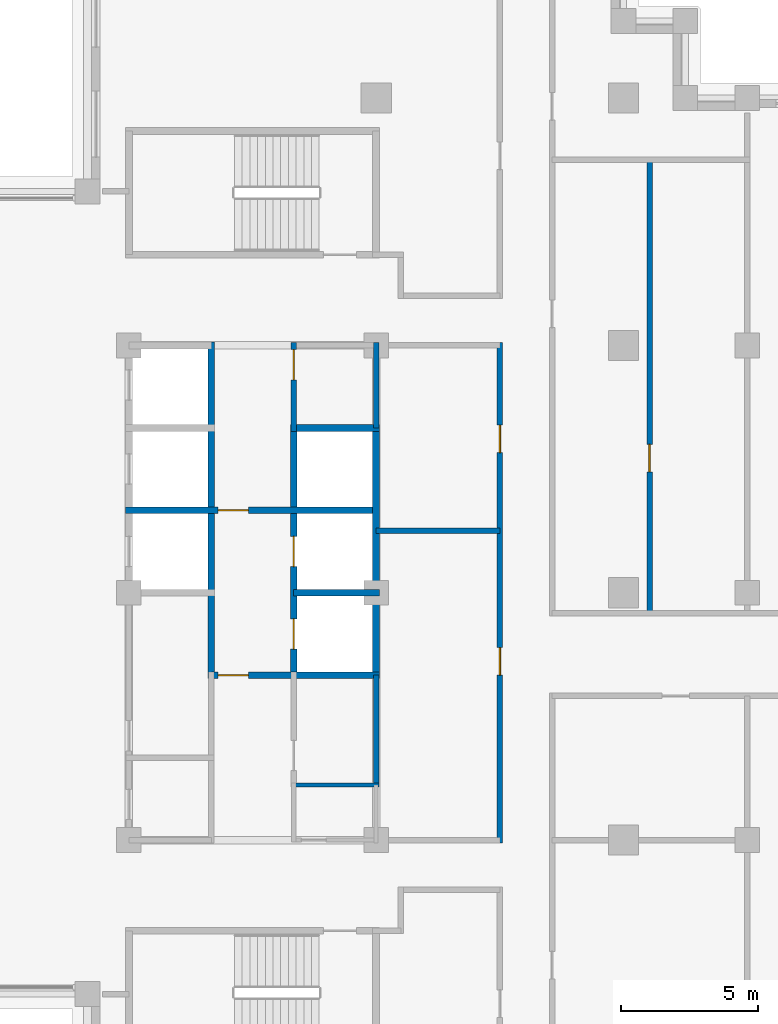
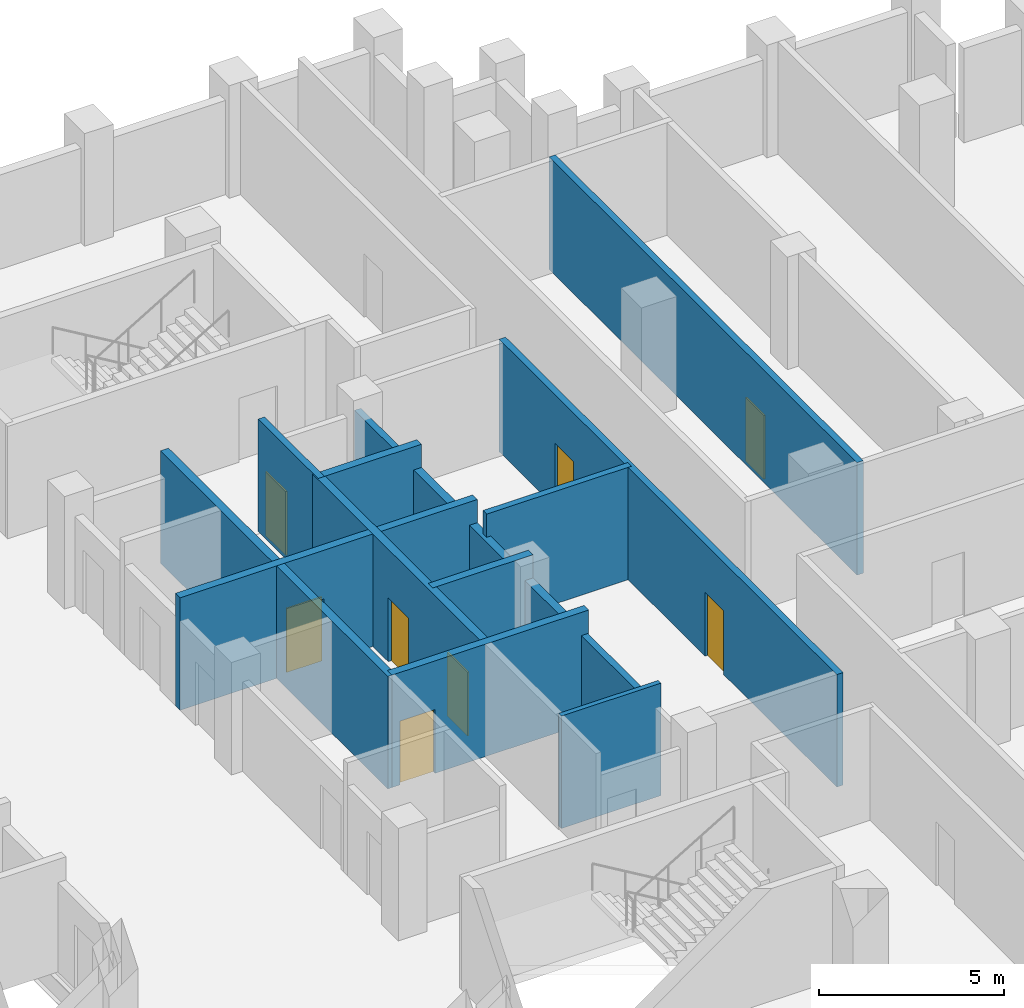
# One storey, part 9 of 16: 14 walls, 8 doors, 8 openings.
"""IFC4 building model written with IfcOpenShell, lengths in metres."""

from ifc_helpers import new_model, si_unit, direction, frame, frame_2d, origin, place, context, subcontext, project, spatial, rectangle, extrude, material, layer, layer_set, type_object, element, fill, save


model = new_model("IFC4")

# Units and contexts
model_context = context("Model", 3, precision=1e-05, world=origin(), true_north=direction((0.0, 1.0)))
body_context = subcontext(model_context, "Body", "Model", "MODEL_VIEW")
ifc_project = project(units=[si_unit("LENGTHUNIT", "METRE"), si_unit("AREAUNIT", "SQUARE_METRE"), si_unit("VOLUMEUNIT", "CUBIC_METRE"), si_unit("PLANEANGLEUNIT", "RADIAN"), si_unit("MASSUNIT", "GRAM", prefix="KILO")], contexts=[model_context])

# Site, building, storey
site_placement = place(None, origin())
site = spatial("IfcSite", under=ifc_project, at=site_placement, CompositionType="ELEMENT")
building_placement = place(site_placement, origin())
building = spatial("IfcBuilding", under=site, at=building_placement, Name="Corbelhall Arena Tower", CompositionType="ELEMENT")
storey_placement = place(building_placement, frame((0.0, 0.0, 154.0)))
storey = spatial("IfcBuildingStorey", under=building, at=storey_placement, Name="L30", CompositionType="ELEMENT", Elevation=154.0)

# Wall
ifc_material_1 = material(Name="Gypsum board on steel stud, acoustic", Category="steel")
ifc_layer_1 = layer(ifc_material_1, 0.199951171875)
ifc_layer_set_1 = layer_set([ifc_layer_1], Name="IN-W-DM200")
wall_type_1 = type_object("IfcWallType", Name="IN-W-DM200", PredefinedType="PARTITIONING", material=ifc_layer_set_1)
wall_1_placement = place(storey_placement, frame((13.5, 2.25, 0.0), z_axis=(0.0, 0.0, 1.0), x_axis=(1.0, 0.0, 0.0)))
element("IfcWall", 1, at=wall_1_placement, inside=storey, type_object=wall_type_1, Name="Partition 039", PredefinedType="PARTITIONING", context=body_context, shape_type="SweptSolid", body=[
    extrude(rectangle(XDim=4.5, YDim=0.199951171875, at=frame_2d((2.25, 0.0))), origin(), (0.0, 0.0, 1.0), 3.699951171875),
])

# Wall, openings, doors
wall_2_placement = place(storey_placement, frame((18.0, -9.10009765625, 0.0), z_axis=(0.0, 0.0, 1.0), x_axis=(0.0, 1.0, 0.0)))
wall_2 = element("IfcWall", 2, at=wall_2_placement, inside=storey, type_object=wall_type_1, Name="Partition 047", PredefinedType="PARTITIONING", context=body_context, shape_type="SweptSolid", body=[
    extrude(rectangle(XDim=18.2001953125, YDim=0.199951171875, at=frame_2d((9.10009765625, 0.0))), origin(), (0.0, 0.0, 1.0), 3.699951171875),
])
opening_1_placement = place(wall_2_placement, frame((6.10009765625, 0.0, 0.0)))
opening_1 = element("IfcOpeningElement", 3, at=opening_1_placement, cuts=wall_2, Name="Opening 08025", PredefinedType="OPENING", context=body_context, shape_type="SweptSolid", body=[
    extrude(rectangle(XDim=1.0, YDim=2.10009765625, at=frame_2d((0.5, 1.050048828125))), frame((0.0, 0.10009765625, 0.0), z_axis=(0.0, -1.0, 0.0), x_axis=(1.0, 0.0, 0.0)), (0.0, 0.0, 1.0), 0.199951171875),
])
opening_2_placement = place(wall_2_placement, frame((14.199951171875, 0.0, 0.0)))
opening_2 = element("IfcOpeningElement", 4, at=opening_2_placement, cuts=wall_2, Name="Opening 08026", PredefinedType="OPENING", context=body_context, shape_type="SweptSolid", body=[
    extrude(rectangle(XDim=1.0, YDim=2.10009765625, at=frame_2d((0.5, 1.050048828125))), frame((0.0, 0.10009765625, 0.0), z_axis=(0.0, -1.0, 0.0), x_axis=(1.0, 0.0, 0.0)), (0.0, 0.0, 1.0), 0.199951171875),
])
ifc_material_2 = material(Name="Steel door set", Category="steel")
door_type_1 = type_object("IfcDoorType", Name="IN-D-SW100", OperationType="NOTDEFINED", PredefinedType="DOOR", material=ifc_material_2)
door_1_placement = place(opening_1_placement, origin())
door_1 = element("IfcDoor", 5, at=door_1_placement, inside=storey, type_object=door_type_1, Name="Door 025", OperationType="SINGLE_SWING_RIGHT", OverallHeight=2.10009765625, OverallWidth=1.0, PredefinedType="DOOR", context=body_context, shape_type="SweptSolid", body=[
    extrude(rectangle(XDim=1.0, YDim=2.10009765625, at=frame_2d((0.5, 1.050048828125))), frame((0.0, 0.02490234375, 0.0), z_axis=(0.0, -1.0, 0.0), x_axis=(1.0, 0.0, 0.0)), (0.0, 0.0, 1.0), 0.050048828125),
])
fill(opening_1, door_1)
door_2_placement = place(opening_2_placement, origin())
door_2 = element("IfcDoor", 6, at=door_2_placement, inside=storey, type_object=door_type_1, Name="Door 026", OperationType="SINGLE_SWING_LEFT", OverallHeight=2.10009765625, OverallWidth=1.0, PredefinedType="DOOR", context=body_context, shape_type="SweptSolid", body=[
    extrude(rectangle(XDim=1.0, YDim=2.10009765625, at=frame_2d((0.5, 1.050048828125))), frame((0.0, 0.02490234375, 0.0), z_axis=(0.0, -1.0, 0.0), x_axis=(1.0, 0.0, 0.0)), (0.0, 0.0, 1.0), 0.050048828125),
])
fill(opening_2, door_2)

# Wall, opening, door
wall_3_placement = place(storey_placement, frame((23.449951171875, 15.85009765625, 0.0), z_axis=(0.0, 0.0, 1.0), x_axis=(0.0, -1.0, 0.0)))
wall_3 = element("IfcWall", 7, at=wall_3_placement, inside=storey, type_object=wall_type_1, Name="Partition 055", PredefinedType="PARTITIONING", context=body_context, shape_type="SweptSolid", body=[
    extrude(rectangle(XDim=16.60009765625, YDim=0.199951171875, at=frame_2d((8.300048828125, 0.0))), origin(), (0.0, 0.0, 1.0), 3.699951171875),
])
opening_3_placement = place(wall_3_placement, frame((10.449951171875, 0.0, 0.0)))
opening_3 = element("IfcOpeningElement", 8, at=opening_3_placement, cuts=wall_3, Name="Opening 08037", PredefinedType="OPENING", context=body_context, shape_type="SweptSolid", body=[
    extrude(rectangle(XDim=1.0, YDim=2.10009765625, at=frame_2d((0.5, 1.050048828125))), frame((0.0, 0.10009765625, 0.0), z_axis=(0.0, -1.0, 0.0), x_axis=(1.0, 0.0, 0.0)), (0.0, 0.0, 1.0), 0.199951171875),
])
door_3_placement = place(opening_3_placement, origin())
door_3 = element("IfcDoor", 9, at=door_3_placement, inside=storey, type_object=door_type_1, Name="Door 037", OperationType="SINGLE_SWING_RIGHT", OverallHeight=2.10009765625, OverallWidth=1.0, PredefinedType="DOOR", context=body_context, shape_type="SweptSolid", body=[
    extrude(rectangle(XDim=1.0, YDim=2.10009765625, at=frame_2d((0.5, 1.050048828125))), frame((0.0, 0.02490234375, 0.0), z_axis=(0.0, -1.0, 0.0), x_axis=(1.0, 0.0, 0.0)), (0.0, 0.0, 1.0), 0.050048828125),
])
fill(opening_3, door_3)

ifc_material_3 = material(Name="Concrete block wall", Category="concrete")
ifc_layer_2 = layer(ifc_material_3, 0.199951171875)
ifc_layer_set_2 = layer_set([ifc_layer_2], Name="IN-W-RS200")
wall_type_2 = type_object("IfcWallType", Name="IN-W-RS200", PredefinedType="SOLIDWALL", material=ifc_layer_set_2)
wall_4_placement = place(storey_placement, frame((10.5, 9.10009765625, 0.0), z_axis=(0.0, 0.0, 1.0), x_axis=(0.0, -1.0, 0.0)))
wall_4 = element("IfcWall", 10, at=wall_4_placement, inside=storey, type_object=wall_type_2, Name="Partition 077", PredefinedType="SOLIDWALL", context=body_context, shape_type="SweptSolid", body=[
    extrude(rectangle(XDim=3.22509765625, YDim=0.199951171875, at=frame_2d((1.612548828125, 0.0))), origin(), (0.0, 0.0, 1.0), 3.699951171875),
])
opening_4_placement = place(wall_4_placement, frame((0.25, 0.0, 0.0)))
opening_4 = element("IfcOpeningElement", 11, at=opening_4_placement, cuts=wall_4, Name="Opening 08014", PredefinedType="OPENING", context=body_context, shape_type="SweptSolid", body=[
    extrude(rectangle(XDim=1.10009765625, YDim=2.10009765625, at=frame_2d((0.550048828125, 1.050048828125))), frame((0.0, 0.10009765625, 0.0), z_axis=(0.0, -1.0, 0.0), x_axis=(1.0, 0.0, 0.0)), (0.0, 0.0, 1.0), 0.199951171875),
])
door_type_2 = type_object("IfcDoorType", Name="IN-D-FD110", OperationType="NOTDEFINED", PredefinedType="DOOR", material=ifc_material_2)
door_4_placement = place(opening_4_placement, origin())
door_4 = element("IfcDoor", 12, at=door_4_placement, inside=storey, type_object=door_type_2, Name="Door 014", OperationType="SINGLE_SWING_LEFT", OverallHeight=2.10009765625, OverallWidth=1.10009765625, PredefinedType="DOOR", context=body_context, shape_type="SweptSolid", body=[
    extrude(rectangle(XDim=1.10009765625, YDim=2.10009765625, at=frame_2d((0.550048828125, 1.050048828125))), frame((0.0, 0.02490234375, 0.0), z_axis=(0.0, -1.0, 0.0), x_axis=(1.0, 0.0, 0.0)), (0.0, 0.0, 1.0), 0.050048828125),
])
fill(opening_4, door_4)

# Walls
ifc_layer_3 = layer(ifc_material_3, 0.199951171875)
ifc_layer_set_3 = layer_set([ifc_layer_3], Name="IN-W-RS200 under beam 762 mm")
wall_type_3 = type_object("IfcWallType", Name="IN-W-RS200 under beam 762 mm", PredefinedType="SOLIDWALL", material=ifc_layer_set_3)
wall_5_placement = place(storey_placement, frame((13.5, -3.0, 0.0), z_axis=(0.0, 0.0, 1.0), x_axis=(0.0, -1.0, 0.0)))
element("IfcWall", 13, at=wall_5_placement, inside=storey, type_object=wall_type_3, Name="Partition 078", PredefinedType="SOLIDWALL", context=body_context, shape_type="SweptSolid", body=[
    extrude(rectangle(XDim=4.0, YDim=0.199951171875, at=frame_2d((2.0, 0.0))), origin(), (0.0, 0.0, 1.0), 2.93798828125),
])
wall_6_placement = place(storey_placement, frame((13.5, 9.10009765625, 0.0), z_axis=(0.0, 0.0, 1.0), x_axis=(0.0, -1.0, 0.0)))
element("IfcWall", 14, at=wall_6_placement, inside=storey, type_object=wall_type_3, Name="Partition 079", PredefinedType="SOLIDWALL", context=body_context, shape_type="SweptSolid", body=[
    extrude(rectangle(XDim=3.10009765625, YDim=0.199951171875, at=frame_2d((1.550048828125, 0.0))), origin(), (0.0, 0.0, 1.0), 2.93798828125),
])

# Wall, opening, door
ifc_material_4 = material(Name="Concrete C40/50", Category="concrete")
ifc_layer_4 = layer(ifc_material_4, 0.25)
ifc_layer_set_4 = layer_set([ifc_layer_4], Name="IN-W-SH250")
wall_type_4 = type_object("IfcWallType", Name="IN-W-SH250", PredefinedType="SOLIDWALL", material=ifc_layer_set_4)
wall_7_placement = place(storey_placement, frame((4.375, 3.0, 0.0), z_axis=(0.0, 0.0, 1.0), x_axis=(1.0, 0.0, 0.0)))
wall_7 = element("IfcWall", 15, at=wall_7_placement, inside=storey, type_object=wall_type_4, Name="Shaft wall 091", PredefinedType="SOLIDWALL", context=body_context, shape_type="SweptSolid", body=[
    extrude(rectangle(XDim=9.25, YDim=0.25, at=frame_2d((4.625, 0.0))), origin(), (0.0, 0.0, 1.0), 3.699951171875),
])
opening_5_placement = place(wall_7_placement, frame((3.375, 0.0, 0.0)))
opening_5 = element("IfcOpeningElement", 16, at=opening_5_placement, cuts=wall_7, Name="Opening 08011", PredefinedType="OPENING", context=body_context, shape_type="SweptSolid", body=[
    extrude(rectangle(XDim=1.10009765625, YDim=2.10009765625, at=frame_2d((0.550048828125, 1.050048828125))), frame((0.0, 0.125, 0.0), z_axis=(0.0, -1.0, 0.0), x_axis=(1.0, 0.0, 0.0)), (0.0, 0.0, 1.0), 0.25),
])
door_5_placement = place(opening_5_placement, origin())
door_5 = element("IfcDoor", 17, at=door_5_placement, inside=storey, type_object=door_type_2, Name="Door 011", OperationType="SINGLE_SWING_RIGHT", OverallHeight=2.10009765625, OverallWidth=1.10009765625, PredefinedType="DOOR", context=body_context, shape_type="SweptSolid", body=[
    extrude(rectangle(XDim=1.10009765625, YDim=2.10009765625, at=frame_2d((0.550048828125, 1.050048828125))), frame((0.0, 0.02490234375, 0.0), z_axis=(0.0, -1.0, 0.0), x_axis=(1.0, 0.0, 0.0)), (0.0, 0.0, 1.0), 0.050048828125),
])
fill(opening_5, door_5)

wall_8_placement = place(storey_placement, frame((7.5, -3.0, 0.0), z_axis=(0.0, 0.0, 1.0), x_axis=(1.0, 0.0, 0.0)))
wall_8 = element("IfcWall", 18, at=wall_8_placement, inside=storey, type_object=wall_type_4, Name="Shaft wall 095", PredefinedType="SOLIDWALL", context=body_context, shape_type="SweptSolid", body=[
    extrude(rectangle(XDim=6.125, YDim=0.25, at=frame_2d((3.0625, 0.0))), origin(), (0.0, 0.0, 1.0), 3.699951171875),
])
opening_6_placement = place(wall_8_placement, frame((0.25, 0.0, 0.0)))
opening_6 = element("IfcOpeningElement", 19, at=opening_6_placement, cuts=wall_8, Name="Opening 08010", PredefinedType="OPENING", context=body_context, shape_type="SweptSolid", body=[
    extrude(rectangle(XDim=1.10009765625, YDim=2.10009765625, at=frame_2d((0.550048828125, 1.050048828125))), frame((0.0, 0.125, 0.0), z_axis=(0.0, -1.0, 0.0), x_axis=(1.0, 0.0, 0.0)), (0.0, 0.0, 1.0), 0.25),
])
door_6_placement = place(opening_6_placement, origin())
door_6 = element("IfcDoor", 20, at=door_6_placement, inside=storey, type_object=door_type_2, Name="Door 010", OperationType="SINGLE_SWING_LEFT", OverallHeight=2.10009765625, OverallWidth=1.10009765625, PredefinedType="DOOR", context=body_context, shape_type="SweptSolid", body=[
    extrude(rectangle(XDim=1.10009765625, YDim=2.10009765625, at=frame_2d((0.550048828125, 1.050048828125))), frame((0.0, 0.02490234375, 0.0), z_axis=(0.0, -1.0, 0.0), x_axis=(1.0, 0.0, 0.0)), (0.0, 0.0, 1.0), 0.050048828125),
])
fill(opening_6, door_6)

# Walls
wall_9_placement = place(storey_placement, frame((7.5, 9.125, 0.0), z_axis=(0.0, 0.0, 1.0), x_axis=(0.0, -1.0, 0.0)))
element("IfcWall", 21, at=wall_9_placement, inside=storey, type_object=wall_type_4, Name="Shaft wall 096", PredefinedType="SOLIDWALL", context=body_context, shape_type="SweptSolid", body=[
    extrude(rectangle(XDim=12.25, YDim=0.25, at=frame_2d((6.125, 0.0))), origin(), (0.0, 0.0, 1.0), 3.699951171875),
])
wall_10_placement = place(storey_placement, frame((10.5, 0.0, 0.0), z_axis=(0.0, 0.0, 1.0), x_axis=(1.0, 0.0, 0.0)))
element("IfcWall", 22, at=wall_10_placement, inside=storey, type_object=wall_type_4, Name="Shaft wall 097", PredefinedType="SOLIDWALL", context=body_context, shape_type="SweptSolid", body=[
    extrude(rectangle(XDim=3.125, YDim=0.25, at=frame_2d((1.5625, 0.0))), origin(), (0.0, 0.0, 1.0), 3.699951171875),
])

# Wall, openings, doors
wall_11_placement = place(storey_placement, frame((10.5, 6.125, 0.0), z_axis=(0.0, 0.0, 1.0), x_axis=(0.0, -1.0, 0.0)))
wall_11 = element("IfcWall", 23, at=wall_11_placement, inside=storey, type_object=wall_type_4, Name="Shaft wall 098", PredefinedType="SOLIDWALL", context=body_context, shape_type="SweptSolid", body=[
    extrude(rectangle(XDim=9.25, YDim=0.25, at=frame_2d((4.625, 0.0))), origin(), (0.0, 0.0, 1.0), 3.699951171875),
])
opening_7_placement = place(wall_11_placement, frame((7.074951171875, 0.0, 0.0)))
opening_7 = element("IfcOpeningElement", 24, at=opening_7_placement, cuts=wall_11, Name="Opening LD", PredefinedType="OPENING", context=body_context, shape_type="SweptSolid", body=[
    extrude(rectangle(XDim=1.10009765625, YDim=2.10009765625, at=frame_2d((0.550048828125, 1.050048828125))), frame((0.0, 0.125, 0.0), z_axis=(0.0, -1.0, 0.0), x_axis=(1.0, 0.0, 0.0)), (0.0, 0.0, 1.0), 0.25),
])
opening_8_placement = place(wall_11_placement, frame((4.074951171875, 0.0, 0.0)))
opening_8 = element("IfcOpeningElement", 25, at=opening_8_placement, cuts=wall_11, Name="Opening LD", PredefinedType="OPENING", context=body_context, shape_type="SweptSolid", body=[
    extrude(rectangle(XDim=1.10009765625, YDim=2.10009765625, at=frame_2d((0.550048828125, 1.050048828125))), frame((0.0, 0.125, 0.0), z_axis=(0.0, -1.0, 0.0), x_axis=(1.0, 0.0, 0.0)), (0.0, 0.0, 1.0), 0.25),
])
door_type_3 = type_object("IfcDoorType", Name="IN-D-LD110", OperationType="NOTDEFINED", PredefinedType="DOOR", material=ifc_material_2)
door_7_placement = place(opening_7_placement, origin())
door_7 = element("IfcDoor", 26, at=door_7_placement, inside=storey, type_object=door_type_3, Name="Landing door E3", OperationType="SLIDING_TO_LEFT", OverallHeight=2.10009765625, OverallWidth=1.10009765625, PredefinedType="DOOR", context=body_context, shape_type="SweptSolid", body=[
    extrude(rectangle(XDim=1.10009765625, YDim=2.10009765625, at=frame_2d((0.550048828125, 1.050048828125))), frame((0.0, 0.02490234375, 0.0), z_axis=(0.0, -1.0, 0.0), x_axis=(1.0, 0.0, 0.0)), (0.0, 0.0, 1.0), 0.050048828125),
])
fill(opening_7, door_7)
door_8_placement = place(opening_8_placement, origin())
door_8 = element("IfcDoor", 27, at=door_8_placement, inside=storey, type_object=door_type_3, Name="Landing door E4", OperationType="SLIDING_TO_LEFT", OverallHeight=2.10009765625, OverallWidth=1.10009765625, PredefinedType="DOOR", context=body_context, shape_type="SweptSolid", body=[
    extrude(rectangle(XDim=1.10009765625, YDim=2.10009765625, at=frame_2d((0.550048828125, 1.050048828125))), frame((0.0, 0.02490234375, 0.0), z_axis=(0.0, -1.0, 0.0), x_axis=(1.0, 0.0, 0.0)), (0.0, 0.0, 1.0), 0.050048828125),
])
fill(opening_8, door_8)

# Walls
wall_12_placement = place(storey_placement, frame((10.5, 6.0, 0.0), z_axis=(0.0, 0.0, 1.0), x_axis=(1.0, 0.0, 0.0)))
element("IfcWall", 28, at=wall_12_placement, inside=storey, type_object=wall_type_4, Name="Shaft wall 099", PredefinedType="SOLIDWALL", context=body_context, shape_type="SweptSolid", body=[
    extrude(rectangle(XDim=3.125, YDim=0.25, at=frame_2d((1.5625, 0.0))), origin(), (0.0, 0.0, 1.0), 3.699951171875),
])
ifc_layer_5 = layer(ifc_material_4, 0.25)
ifc_layer_set_5 = layer_set([ifc_layer_5], Name="IN-W-SH250 under beam 762 mm")
wall_type_5 = type_object("IfcWallType", Name="IN-W-SH250 under beam 762 mm", PredefinedType="SOLIDWALL", material=ifc_layer_set_5)
wall_13_placement = place(storey_placement, frame((13.5, 6.0, 0.0), z_axis=(0.0, 0.0, 1.0), x_axis=(0.0, -1.0, 0.0)))
element("IfcWall", 29, at=wall_13_placement, inside=storey, type_object=wall_type_5, Name="Shaft wall 100", PredefinedType="SOLIDWALL", context=body_context, shape_type="SweptSolid", body=[
    extrude(rectangle(XDim=9.0, YDim=0.25, at=frame_2d((4.5, 0.0))), origin(), (0.0, 0.0, 1.0), 2.93798828125),
])
ifc_material_5 = material(Name="Gypsum board on steel stud, moisture resistant", Category="steel")
ifc_layer_6 = layer(ifc_material_5, 0.14990234375)
ifc_layer_set_6 = layer_set([ifc_layer_6], Name="IN-W-WC150")
wall_type_6 = type_object("IfcWallType", Name="IN-W-WC150", PredefinedType="PARTITIONING", material=ifc_layer_set_6)
wall_14_placement = place(storey_placement, frame((10.5, -7.0, 0.0), z_axis=(0.0, 0.0, 1.0), x_axis=(1.0, 0.0, 0.0)))
element("IfcWall", 30, at=wall_14_placement, inside=storey, type_object=wall_type_6, Name="Partition 135", PredefinedType="PARTITIONING", context=body_context, shape_type="SweptSolid", body=[
    extrude(rectangle(XDim=3.10009765625, YDim=0.14990234375, at=frame_2d((1.550048828125, 0.0))), origin(), (0.0, 0.0, 1.0), 3.699951171875),
])

save(model, "model.ifc")
